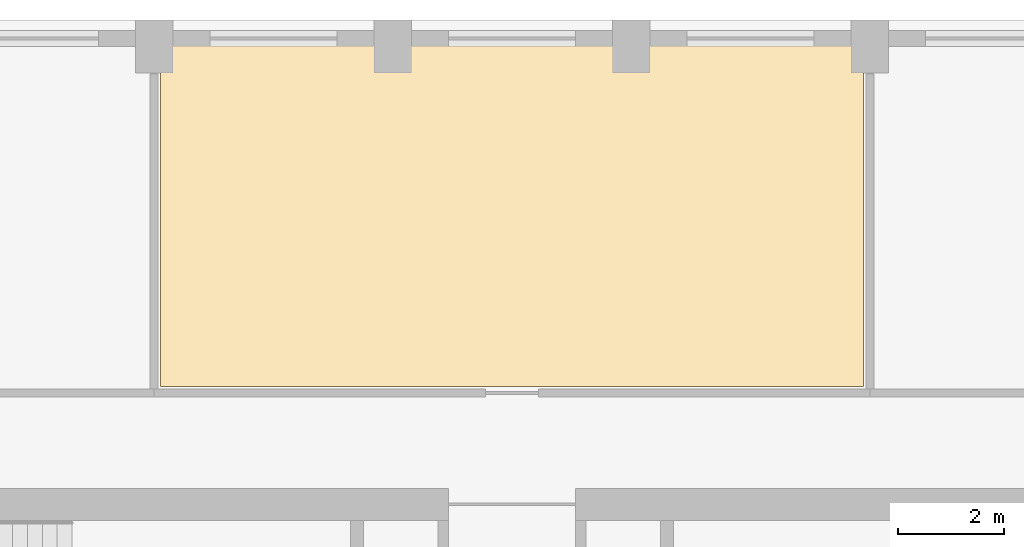
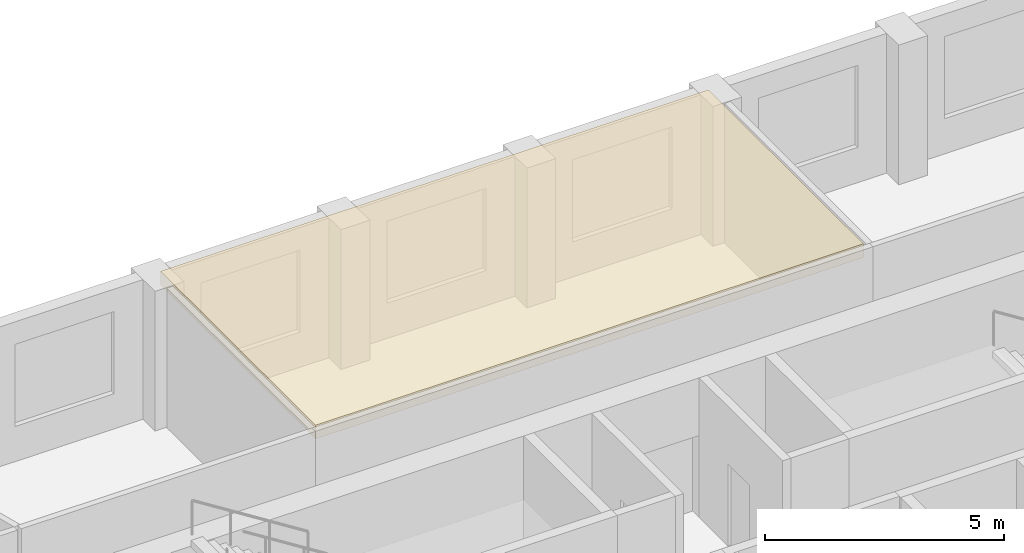
# One storey, part 10 of 10: 1 covering.
"""IFC4 building model written with IfcOpenShell, lengths in metres."""

from ifc_helpers import new_model, si_unit, direction, frame, origin, place, context, subcontext, project, spatial, polyline, outline, extrude, material, layer, layer_set, type_object, element, save


model = new_model("IFC4")

# Units and contexts
model_context = context("Model", 3, precision=1e-05, world=origin(), true_north=direction((0.0, 1.0)))
body_context = subcontext(model_context, "Body", "Model", "MODEL_VIEW")
ifc_project = project(units=[si_unit("LENGTHUNIT", "METRE"), si_unit("AREAUNIT", "SQUARE_METRE"), si_unit("VOLUMEUNIT", "CUBIC_METRE"), si_unit("PLANEANGLEUNIT", "RADIAN"), si_unit("MASSUNIT", "GRAM", prefix="KILO")], contexts=[model_context])

# Site, building, storey
site_placement = place(None, origin())
site = spatial("IfcSite", under=ifc_project, at=site_placement, CompositionType="ELEMENT")
building_placement = place(site_placement, origin())
building = spatial("IfcBuilding", under=site, at=building_placement, Name="Dhurran Vertical Campus", CompositionType="ELEMENT")
storey_placement = place(building_placement, frame((0.0, 0.0, 250.800048828125)))
storey = spatial("IfcBuildingStorey", under=building, at=storey_placement, Name="L62", CompositionType="ELEMENT", Elevation=250.800048828125)

# Covering
ifc_material = material(Name="Mineral fibre ceiling tiles on suspended grid")
ifc_layer = layer(ifc_material, 0.35009765625)
ifc_layer_set = layer_set([ifc_layer], Name="Mineral fibre ceiling tiles on suspended grid")
covering_type = type_object("IfcCoveringType", Name="fl-CE-350 suspended ceiling", PredefinedType="CEILING", material=ifc_layer_set)
covering_placement = place(storey_placement, frame((0.0, 0.0, 3.224853515625)))
element("IfcCovering", 1, at=covering_placement, inside=storey, type_object=covering_type, Name="Ceiling 62-07", PredefinedType="CEILING", context=body_context, shape_type="SweptSolid", body=[
    extrude(outline(polyline([(-6.6298828125, 19.66796875), (6.6298828125, 19.66796875), (6.6298828125, 13.169921875), (-6.6298828125, 13.169921875), (-6.6298828125, 19.66796875)])), origin(), (0.0, 0.0, 1.0), 0.35009765625),
])

save(model, "model.ifc")
